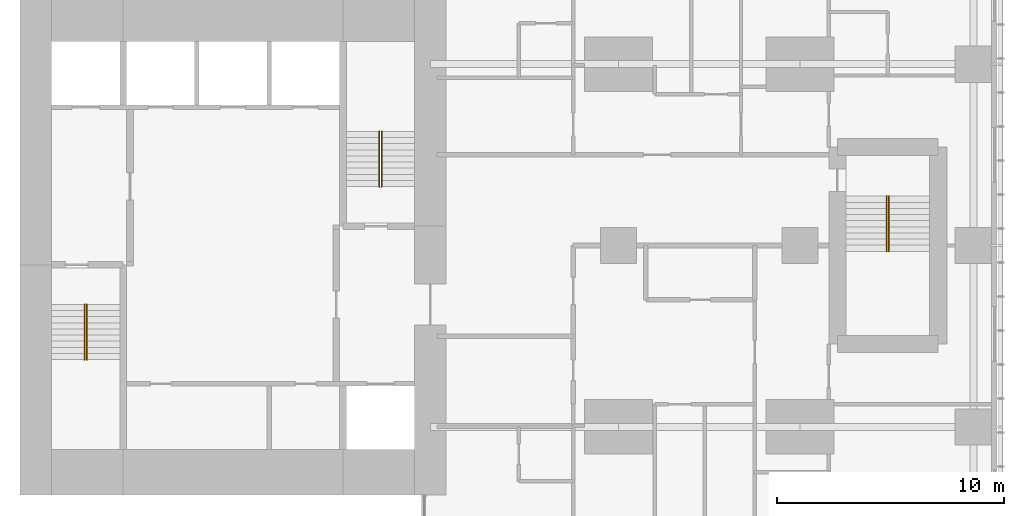
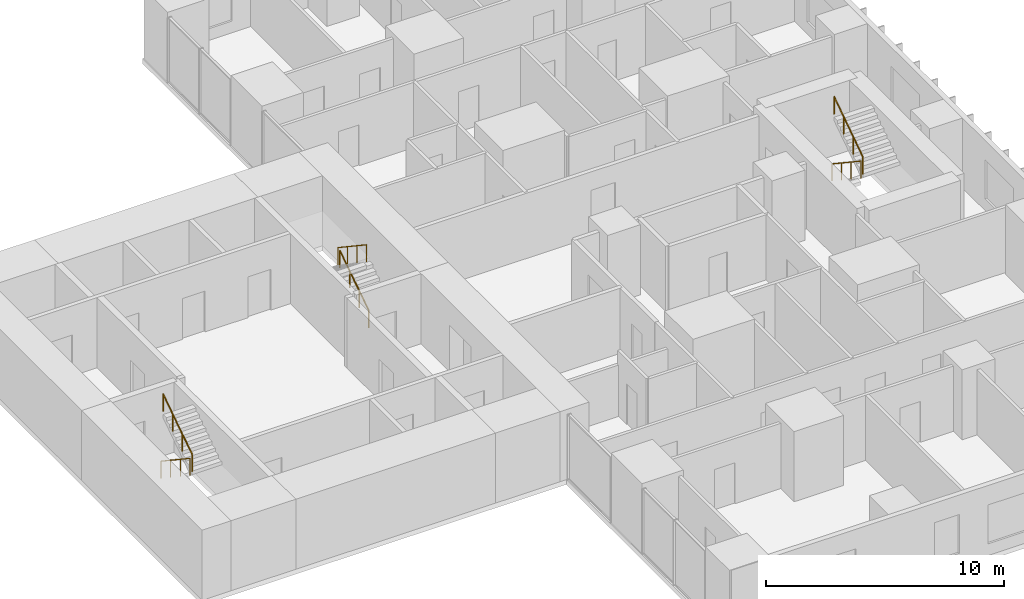
# One storey, part 12 of 12: 6 railings.
"""IFC4 building model written with IfcOpenShell, lengths in metres."""

from ifc_helpers import new_model, si_unit, direction, frame, origin, origin_2d, place, context, subcontext, project, spatial, circle, extrude, material, type_object, element, save


model = new_model("IFC4")

# Units and contexts
model_context = context("Model", 3, precision=1e-05, world=origin(), true_north=direction((0.0, 1.0)))
body_context = subcontext(model_context, "Body", "Model", "MODEL_VIEW")
ifc_project = project(units=[si_unit("LENGTHUNIT", "METRE"), si_unit("AREAUNIT", "SQUARE_METRE"), si_unit("VOLUMEUNIT", "CUBIC_METRE"), si_unit("PLANEANGLEUNIT", "RADIAN"), si_unit("MASSUNIT", "GRAM", prefix="KILO")], contexts=[model_context])

# Site, building, storey
site_placement = place(None, origin())
site = spatial("IfcSite", under=ifc_project, at=site_placement, CompositionType="ELEMENT")
building_placement = place(site_placement, origin())
building = spatial("IfcBuilding", under=site, at=building_placement, Name="Cleftline Residences", CompositionType="ELEMENT")
storey_placement = place(building_placement, frame((0.0, 0.0, 270.0)))
storey = spatial("IfcBuildingStorey", under=building, at=storey_placement, Name="L71", CompositionType="ELEMENT", Elevation=270.0)

# Railings
ifc_material = material(Name="Stainless steel", Category="steel")
railing_type = type_object("IfcRailingType", Name="HANDRAIL 900", PredefinedType="HANDRAIL", material=ifc_material)
railing_1_placement = place(storey_placement, frame((26.449951171875, 21.39990234375, 0.179931640625)))
element("IfcRailing", 1, at=railing_1_placement, inside=storey, type_object=railing_type, Name="Stair handrail", PredefinedType="HANDRAIL", context=body_context, shape_type="SweptSolid", body=[
    extrude(circle(Radius=0.02392578125, at=origin_2d()), frame((0.0, 0.0, 0.8759765625), z_axis=(0.0, -0.832024571796, 0.554738778101), x_axis=(1.0, 0.0, 0.0)), (0.0, 0.0, 1.0), 2.92041015625),
    extrude(circle(Radius=0.02099609375, at=origin_2d()), origin(), (0.0, 0.0, 1.0), 0.851806640625),
    extrude(circle(Radius=0.02099609375, at=origin_2d()), frame((0.0, -0.81005859375, 0.5400390625)), (0.0, 0.0, 1.0), 0.851806640625),
    extrude(circle(Radius=0.02099609375, at=origin_2d()), frame((0.0, -1.619873046875, 1.080078125)), (0.0, 0.0, 1.0), 0.851806640625),
    extrude(circle(Radius=0.02099609375, at=origin_2d()), frame((0.0, -2.429931640625, 1.6201171875)), (0.0, 0.0, 1.0), 0.851806640625),
])
for number, where, name in (
    (2, (26.550048828125, 18.969970703125, 1.97998046875), "Stair handrail"),
    (3, (39.550048828125, 26.60009765625, 0.179931640625), "Stair handrail"),
):
    element("IfcRailing", number, at=place(storey_placement, frame(where)), inside=storey, type_object=railing_type, Name=name, PredefinedType="HANDRAIL", context=body_context, shape_type="SweptSolid", body=[
        extrude(circle(Radius=0.02392578125, at=origin_2d()), frame((0.0, 0.0, 0.8759765625), z_axis=(0.0, 0.832024571796, 0.554738778101), x_axis=(-1.0, 0.0, 0.0)), (0.0, 0.0, 1.0), 2.92041015625),
        extrude(circle(Radius=0.02099609375, at=origin_2d()), origin(), (0.0, 0.0, 1.0), 0.851806640625),
        extrude(circle(Radius=0.02099609375, at=origin_2d()), frame((0.0, 0.81005859375, 0.5400390625)), (0.0, 0.0, 1.0), 0.851806640625),
        extrude(circle(Radius=0.02099609375, at=origin_2d()), frame((0.0, 1.619873046875, 1.080078125)), (0.0, 0.0, 1.0), 0.851806640625),
        extrude(circle(Radius=0.02099609375, at=origin_2d()), frame((0.0, 2.429931640625, 1.6201171875)), (0.0, 0.0, 1.0), 0.851806640625),
    ])
for number, where, name in (
    (4, (39.449951171875, 29.030029296875, 1.97998046875), "Stair handrail"),
    (5, (61.824951171875, 26.175048828125, 0.179931640625), "Stair handrail"),
):
    element("IfcRailing", number, at=place(storey_placement, frame(where)), inside=storey, type_object=railing_type, Name=name, PredefinedType="HANDRAIL", context=body_context, shape_type="SweptSolid", body=[
        extrude(circle(Radius=0.02392578125, at=origin_2d()), frame((0.0, 0.0, 0.8759765625), z_axis=(0.0, -0.832024571796, 0.554738778101), x_axis=(1.0, 0.0, 0.0)), (0.0, 0.0, 1.0), 2.92041015625),
        extrude(circle(Radius=0.02099609375, at=origin_2d()), origin(), (0.0, 0.0, 1.0), 0.851806640625),
        extrude(circle(Radius=0.02099609375, at=origin_2d()), frame((0.0, -0.81005859375, 0.5400390625)), (0.0, 0.0, 1.0), 0.851806640625),
        extrude(circle(Radius=0.02099609375, at=origin_2d()), frame((0.0, -1.619873046875, 1.080078125)), (0.0, 0.0, 1.0), 0.851806640625),
        extrude(circle(Radius=0.02099609375, at=origin_2d()), frame((0.0, -2.429931640625, 1.6201171875)), (0.0, 0.0, 1.0), 0.851806640625),
    ])
railing_2_placement = place(storey_placement, frame((61.925048828125, 23.7451171875, 1.97998046875)))
element("IfcRailing", 6, at=railing_2_placement, inside=storey, type_object=railing_type, Name="Stair handrail", PredefinedType="HANDRAIL", context=body_context, shape_type="SweptSolid", body=[
    extrude(circle(Radius=0.02392578125, at=origin_2d()), frame((0.0, 0.0, 0.8759765625), z_axis=(0.0, 0.832024571796, 0.554738778101), x_axis=(-1.0, 0.0, 0.0)), (0.0, 0.0, 1.0), 2.92041015625),
    extrude(circle(Radius=0.02099609375, at=origin_2d()), origin(), (0.0, 0.0, 1.0), 0.851806640625),
    extrude(circle(Radius=0.02099609375, at=origin_2d()), frame((0.0, 0.81005859375, 0.5400390625)), (0.0, 0.0, 1.0), 0.851806640625),
    extrude(circle(Radius=0.02099609375, at=origin_2d()), frame((0.0, 1.619873046875, 1.080078125)), (0.0, 0.0, 1.0), 0.851806640625),
    extrude(circle(Radius=0.02099609375, at=origin_2d()), frame((0.0, 2.429931640625, 1.6201171875)), (0.0, 0.0, 1.0), 0.851806640625),
])

save(model, "model.ifc")
